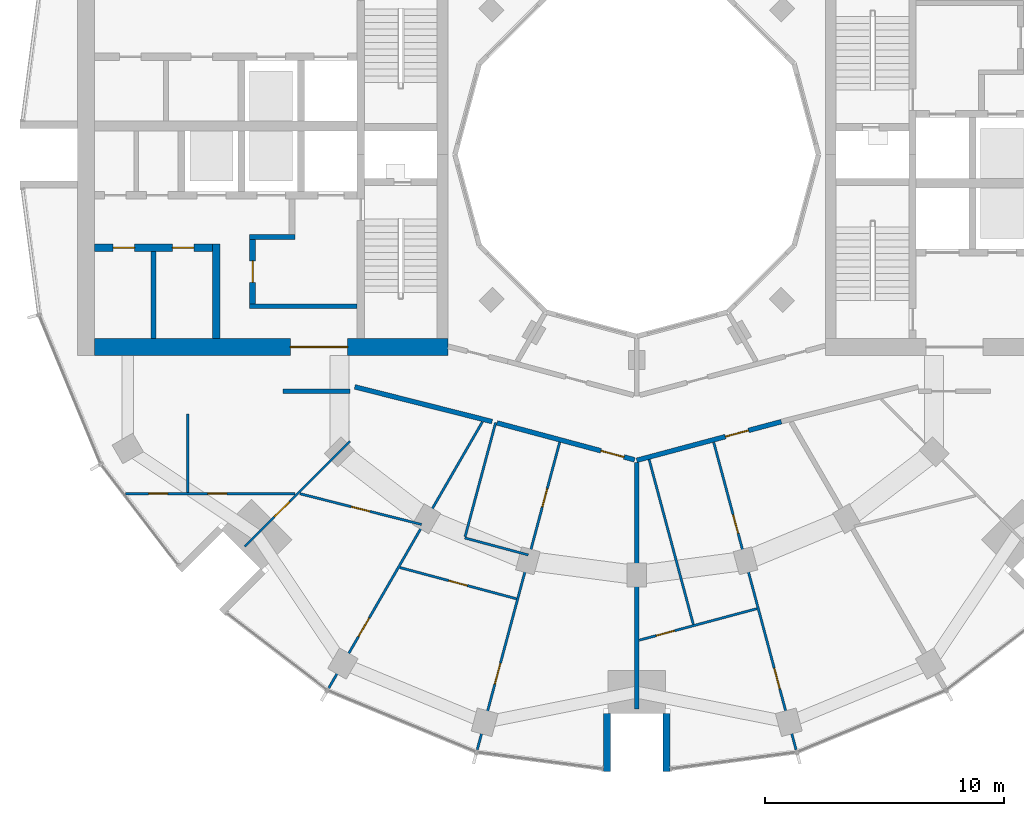
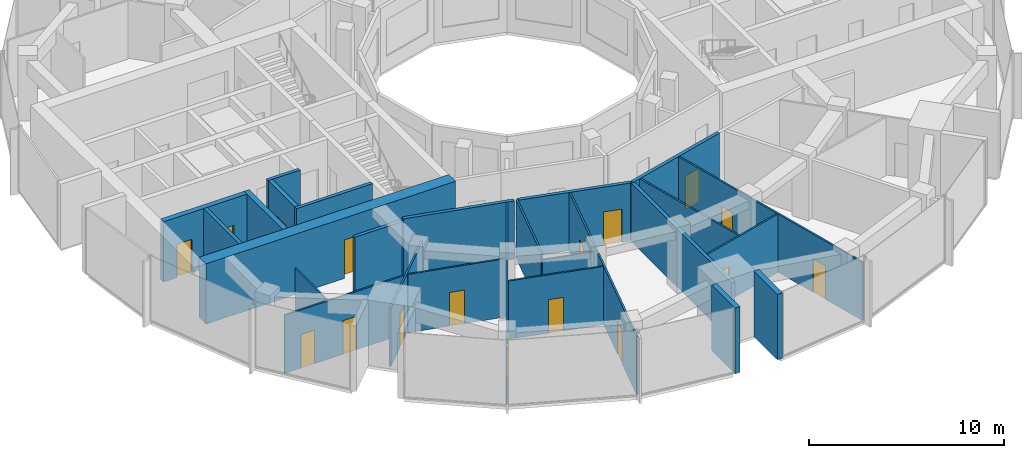
# One storey, part 8 of 15: 26 walls, 17 doors, 17 openings.
"""IFC4 building model written with IfcOpenShell, lengths in metres."""

from ifc_helpers import new_model, si_unit, direction, frame, frame_2d, origin, place, context, subcontext, project, spatial, rectangle, extrude, material, layer, layer_set, type_object, element, fill, save


model = new_model("IFC4")

# Units and contexts
model_context = context("Model", 3, precision=1e-05, world=origin(), true_north=direction((0.0, 1.0)))
body_context = subcontext(model_context, "Body", "Model", "MODEL_VIEW")
ifc_project = project(units=[si_unit("LENGTHUNIT", "METRE"), si_unit("AREAUNIT", "SQUARE_METRE"), si_unit("VOLUMEUNIT", "CUBIC_METRE"), si_unit("PLANEANGLEUNIT", "RADIAN"), si_unit("MASSUNIT", "GRAM", prefix="KILO")], contexts=[model_context])

# Site, building, storey
site_placement = place(None, origin())
site = spatial("IfcSite", under=ifc_project, at=site_placement, CompositionType="ELEMENT")
building_placement = place(site_placement, origin())
building = spatial("IfcBuilding", under=site, at=building_placement, Name="Torre Brocal", CompositionType="ELEMENT")
storey_placement = place(building_placement, frame((0.0, 0.0, 157.699951171875)))
storey = spatial("IfcBuildingStorey", under=building, at=storey_placement, Name="L36", CompositionType="ELEMENT", Elevation=157.699951171875)

# Walls
ifc_material_1 = material(Name="Masonry block", Category="masonry")
ifc_layer_1 = layer(ifc_material_1, 0.199951171875)
ifc_layer_set_1 = layer_set([ifc_layer_1], Name="Masonry block")
wall_type_1 = type_object("IfcWallType", Name="CORE PARTITION 200", PredefinedType="PARTITIONING", material=ifc_layer_set_1)
wall_1_placement = place(storey_placement, frame((59.77490234375, 70.949951171875, 0.0), z_axis=(0.0, 0.0, 1.0), x_axis=(0.0, -1.0, 0.0)))
element("IfcWall", 1, at=wall_1_placement, inside=storey, type_object=wall_type_1, Name="Wall CP200", PredefinedType="PARTITIONING", context=body_context, shape_type="SweptSolid", body=[
    extrude(rectangle(XDim=3.64990234375, YDim=0.199951171875, at=frame_2d((1.824951171875, 0.0))), origin(), (0.0, 0.0, 1.0), 3.780029296875),
])
ifc_material_2 = material(Name="Concrete C70", Category="concrete")
ifc_layer_2 = layer(ifc_material_2, 0.199951171875)
ifc_layer_set_2 = layer_set([ifc_layer_2], Name="Concrete C70")
wall_type_2 = type_object("IfcWallType", Name="CORE WALL 200 C70", PredefinedType="SHEAR", material=ifc_layer_set_2)
wall_2_placement = place(storey_placement, frame((68.300048828125, 68.64990234375, 0.0), z_axis=(0.0, 0.0, 1.0), x_axis=(-1.0, 0.0, 0.0)))
element("IfcWall", 2, at=wall_2_placement, inside=storey, type_object=wall_type_2, Name="Wall CW200-70", PredefinedType="SHEAR", context=body_context, shape_type="SweptSolid", body=[
    extrude(rectangle(XDim=4.5, YDim=0.199951171875, at=frame_2d((2.25, 0.0))), origin(), (0.0, 0.0, 1.0), 3.780029296875),
])
wall_3_placement = place(storey_placement, frame((65.699951171875, 71.550048828125, 0.0), z_axis=(0.0, 0.0, 1.0), x_axis=(-1.0, 0.0, 0.0)))
element("IfcWall", 3, at=wall_3_placement, inside=storey, type_object=wall_type_2, Name="Wall CW200-70", PredefinedType="SHEAR", context=body_context, shape_type="SweptSolid", body=[
    extrude(rectangle(XDim=1.89990234375, YDim=0.199951171875, at=frame_2d((0.949951171875, 0.0))), origin(), (0.0, 0.0, 1.0), 3.780029296875),
])

# Wall, opening, door
ifc_material_3 = material(Name="Concrete C70", Category="concrete")
ifc_layer_3 = layer(ifc_material_3, 0.25)
ifc_layer_set_3 = layer_set([ifc_layer_3], Name="Concrete C70")
wall_type_3 = type_object("IfcWallType", Name="CORE WALL 250 C70", PredefinedType="SHEAR", material=ifc_layer_set_3)
wall_4_placement = place(storey_placement, frame((63.925048828125, 71.449951171875, 0.0), z_axis=(0.0, 0.0, 1.0), x_axis=(0.0, -1.0, 0.0)))
wall_4 = element("IfcWall", 4, at=wall_4_placement, inside=storey, type_object=wall_type_3, Name="Wall CW250-70", PredefinedType="SHEAR", context=body_context, shape_type="SweptSolid", body=[
    extrude(rectangle(XDim=2.699951171875, YDim=0.25, at=frame_2d((1.35009765625, 0.0))), origin(), (0.0, 0.0, 1.0), 3.780029296875),
])
opening_1_placement = place(wall_4_placement, frame((0.89990234375, 0.0, 0.0)))
opening_1 = element("IfcOpeningElement", 5, at=opening_1_placement, cuts=wall_4, Name="Opening W-D08", PredefinedType="OPENING", context=body_context, shape_type="SweptSolid", body=[
    extrude(rectangle(XDim=0.89990234375, YDim=2.10009765625, at=frame_2d((0.449951171875, 1.050048828125))), frame((0.0, 0.135009765625, 0.0), z_axis=(0.0, -1.0, 0.0), x_axis=(1.0, 0.0, 0.0)), (0.0, 0.0, 1.0), 0.27001953125),
])
ifc_material_4 = material(Name="Steel A653", Category="steel")
door_type_1 = type_object("IfcDoorType", Name="LOBBY DOOR FD120 900X2100", OperationType="SINGLE_SWING_RIGHT", PredefinedType="DOOR", material=ifc_material_4)
door_1_placement = place(opening_1_placement, origin())
door_1 = element("IfcDoor", 6, at=door_1_placement, inside=storey, type_object=door_type_1, Name="Door W-D08", OperationType="SINGLE_SWING_LEFT", OverallHeight=2.10009765625, OverallWidth=0.89990234375, PredefinedType="DOOR", context=body_context, shape_type="SweptSolid", body=[
    extrude(rectangle(XDim=0.89990234375, YDim=2.10009765625, at=frame_2d((0.449951171875, 1.050048828125))), frame((0.0, 0.02490234375, 0.0), z_axis=(0.0, -1.0, 0.0), x_axis=(1.0, 0.0, 0.0)), (0.0, 0.0, 1.0), 0.050048828125),
])
fill(opening_1, door_1)

# Wall
ifc_material_5 = material(Name="Concrete C70", Category="concrete")
ifc_layer_4 = layer(ifc_material_5, 0.300048828125)
ifc_layer_set_4 = layer_set([ifc_layer_4], Name="Concrete C70")
wall_type_4 = type_object("IfcWallType", Name="CORE WALL 300 C70", PredefinedType="SHEAR", material=ifc_layer_set_4)
wall_5_placement = place(storey_placement, frame((62.39990234375, 71.25, 0.0), z_axis=(0.0, 0.0, 1.0), x_axis=(0.0, -1.0, 0.0)))
element("IfcWall", 7, at=wall_5_placement, inside=storey, type_object=wall_type_4, Name="Wall CW300-70", PredefinedType="SHEAR", context=body_context, shape_type="SweptSolid", body=[
    extrude(rectangle(XDim=3.949951171875, YDim=0.300048828125, at=frame_2d((1.97509765625, 0.0))), origin(), (0.0, 0.0, 1.0), 3.780029296875),
])

# Wall, openings, doors
wall_6_placement = place(storey_placement, frame((62.25, 71.10009765625, 0.0), z_axis=(0.0, 0.0, 1.0), x_axis=(-1.0, 0.0, 0.0)))
wall_6 = element("IfcWall", 8, at=wall_6_placement, inside=storey, type_object=wall_type_4, Name="Wall CW300-70", PredefinedType="SHEAR", context=body_context, shape_type="SweptSolid", body=[
    extrude(rectangle(XDim=4.949951171875, YDim=0.300048828125, at=frame_2d((2.47509765625, 0.0))), origin(), (0.0, 0.0, 1.0), 3.780029296875),
])
opening_2_placement = place(wall_6_placement, frame((0.78759765625, 0.0, 0.0)))
opening_2 = element("IfcOpeningElement", 9, at=opening_2_placement, cuts=wall_6, Name="Opening W-D09", PredefinedType="OPENING", context=body_context, shape_type="SweptSolid", body=[
    extrude(rectangle(XDim=0.89990234375, YDim=2.10009765625, at=frame_2d((0.449951171875, 1.050048828125))), frame((0.0, 0.159912109375, 0.0), z_axis=(0.0, -1.0, 0.0), x_axis=(1.0, 0.0, 0.0)), (0.0, 0.0, 1.0), 0.320068359375),
])
opening_3_placement = place(wall_6_placement, frame((3.262451171875, 0.0, 0.0)))
opening_3 = element("IfcOpeningElement", 10, at=opening_3_placement, cuts=wall_6, Name="Opening W-D10", PredefinedType="OPENING", context=body_context, shape_type="SweptSolid", body=[
    extrude(rectangle(XDim=0.89990234375, YDim=2.10009765625, at=frame_2d((0.449951171875, 1.050048828125))), frame((0.0, 0.159912109375, 0.0), z_axis=(0.0, -1.0, 0.0), x_axis=(1.0, 0.0, 0.0)), (0.0, 0.0, 1.0), 0.320068359375),
])
ifc_material_6 = material(Name="Steel A653", Category="steel")
door_type_2 = type_object("IfcDoorType", Name="ROOM DOOR FD30S 900X2100", OperationType="SINGLE_SWING_LEFT", PredefinedType="DOOR", material=ifc_material_6)
door_2_placement = place(opening_2_placement, origin())
door_2 = element("IfcDoor", 11, at=door_2_placement, inside=storey, type_object=door_type_2, Name="Door W-D09", OperationType="SINGLE_SWING_RIGHT", OverallHeight=2.10009765625, OverallWidth=0.89990234375, PredefinedType="DOOR", context=body_context, shape_type="SweptSolid", body=[
    extrude(rectangle(XDim=0.89990234375, YDim=2.10009765625, at=frame_2d((0.449951171875, 1.050048828125))), frame((0.0, 0.02490234375, 0.0), z_axis=(0.0, -1.0, 0.0), x_axis=(1.0, 0.0, 0.0)), (0.0, 0.0, 1.0), 0.050048828125),
])
fill(opening_2, door_2)
door_3_placement = place(opening_3_placement, origin())
door_3 = element("IfcDoor", 12, at=door_3_placement, inside=storey, type_object=door_type_2, Name="Door W-D10", OperationType="SINGLE_SWING_LEFT", OverallHeight=2.10009765625, OverallWidth=0.89990234375, PredefinedType="DOOR", context=body_context, shape_type="SweptSolid", body=[
    extrude(rectangle(XDim=0.89990234375, YDim=2.10009765625, at=frame_2d((0.449951171875, 1.050048828125))), frame((0.0, 0.02490234375, 0.0), z_axis=(0.0, -1.0, 0.0), x_axis=(1.0, 0.0, 0.0)), (0.0, 0.0, 1.0), 0.050048828125),
])
fill(opening_3, door_3)

# Wall, opening, door
ifc_material_7 = material(Name="Concrete C70", Category="concrete")
ifc_layer_5 = layer(ifc_material_7, 0.699951171875)
ifc_layer_set_5 = layer_set([ifc_layer_5], Name="Concrete C70")
wall_type_5 = type_object("IfcWallType", Name="CORE WALL 700 C70", PredefinedType="SHEAR", material=ifc_layer_set_5)
wall_7_placement = place(storey_placement, frame((72.10009765625, 66.949951171875, 0.0), z_axis=(0.0, 0.0, 1.0), x_axis=(-1.0, 0.0, 0.0)))
wall_7 = element("IfcWall", 13, at=wall_7_placement, inside=storey, type_object=wall_type_5, Name="Wall CW700-70", PredefinedType="SHEAR", context=body_context, shape_type="SweptSolid", body=[
    extrude(rectangle(XDim=14.800048828125, YDim=0.699951171875, at=frame_2d((7.39990234375, 0.0))), origin(), (0.0, 0.0, 1.0), 3.780029296875),
])
opening_4_placement = place(wall_7_placement, frame((4.199951171875, 0.0, 0.0)))
opening_4 = element("IfcOpeningElement", 14, at=opening_4_placement, cuts=wall_7, Name="Opening W-D34", PredefinedType="OPENING", context=body_context, shape_type="SweptSolid", body=[
    extrude(rectangle(XDim=2.39990234375, YDim=2.39990234375, at=frame_2d((1.199951171875, 1.199951171875))), frame((0.0, 0.35986328125, 0.0), z_axis=(0.0, -1.0, 0.0), x_axis=(1.0, 0.0, 0.0)), (0.0, 0.0, 1.0), 0.719970703125),
])
ifc_material_8 = material(Name="Steel A653", Category="steel")
door_type_3 = type_object("IfcDoorType", Name="DOUBLE FIRE DOOR FD90 2400X2400", OperationType="DOUBLE_DOOR_SINGLE_SWING", PredefinedType="DOOR", material=ifc_material_8)
door_4_placement = place(opening_4_placement, frame((2.39990234375, 0.0, 0.0), z_axis=(0.0, 0.0, 1.0), x_axis=(-1.0, 0.0, 0.0)))
door_4 = element("IfcDoor", 15, at=door_4_placement, inside=storey, type_object=door_type_3, Name="Door W-D34", OperationType="DOUBLE_DOOR_SINGLE_SWING", OverallHeight=2.39990234375, OverallWidth=2.39990234375, PredefinedType="DOOR", context=body_context, shape_type="SweptSolid", body=[
    extrude(rectangle(XDim=2.39990234375, YDim=2.39990234375, at=frame_2d((1.199951171875, 1.199951171875))), frame((0.0, 0.02490234375, 0.0), z_axis=(0.0, -1.0, 0.0), x_axis=(1.0, 0.0, 0.0)), (0.0, 0.0, 1.0), 0.050048828125),
])
fill(opening_4, door_4)

# Walls
ifc_material_9 = material(Name="Concrete C70", Category="concrete")
ifc_layer_6 = layer(ifc_material_9, 0.300048828125)
ifc_layer_set_6 = layer_set([ifc_layer_6], Name="Concrete C70")
wall_type_6 = type_object("IfcWallType", Name="NOTCH RETURN WALL 300 C70", PredefinedType="NOTDEFINED", material=ifc_layer_set_6)
for number, where, z_axis, x_axis, name in (
    (16, (78.75, 51.60009765625, 0.0), (0.0, 0.0, 1.0), (0.0, -1.0, 0.0), "NOTCH RETURN WALL"),
    (17, (81.25, 51.60009765625, 0.0), (0.0, 0.0, 1.0), (0.0, -1.0, 0.0), "NOTCH RETURN WALL"),
):
    element("IfcWall", number, at=place(storey_placement, frame(where, z_axis=z_axis, x_axis=x_axis)), inside=storey, type_object=wall_type_6, Name=name, PredefinedType="NOTDEFINED", context=body_context, shape_type="SweptSolid", body=[
        extrude(rectangle(XDim=2.415771484375, YDim=0.300048828125, at=frame_2d((1.2080078125, 0.0))), origin(), (0.0, 0.0, 1.0), 4.10009765625),
    ])

# Wall, openings, doors
ifc_material_10 = material(Name="Gypsum board", Category="Gypsum")
ifc_layer_7 = layer(ifc_material_10, 0.10009765625)
ifc_layer_set_7 = layer_set([ifc_layer_7], Name="Gypsum board")
wall_type_7 = type_object("IfcWallType", Name="PARTITION 100", PredefinedType="PARTITIONING", material=ifc_layer_set_7)
wall_8_placement = place(storey_placement, frame((58.60009765625, 60.81201171875, 0.0), z_axis=(0.0, 0.0, 1.0), x_axis=(1.0, 0.0, 0.0)))
wall_8 = element("IfcWall", 18, at=wall_8_placement, inside=storey, type_object=wall_type_7, Name="BATHROOM WALL", PredefinedType="PARTITIONING", context=body_context, shape_type="SweptSolid", body=[
    extrude(rectangle(XDim=7.091796875, YDim=0.10009765625, at=frame_2d((3.5458984375, 0.0))), origin(), (0.0, 0.0, 1.0), 3.650146484375),
])
opening_5_placement = place(wall_8_placement, frame((3.446044921875, 0.0, 0.0)))
opening_5 = element("IfcOpeningElement", 19, at=opening_5_placement, cuts=wall_8, Name="Opening R01-D33", PredefinedType="OPENING", context=body_context, shape_type="SweptSolid", body=[
    extrude(rectangle(XDim=0.800048828125, YDim=2.10009765625, at=frame_2d((0.39990234375, 1.050048828125))), frame((0.0, 0.06005859375, 0.0), z_axis=(0.0, -1.0, 0.0), x_axis=(1.0, 0.0, 0.0)), (0.0, 0.0, 1.0), 0.1201171875),
])
opening_6_placement = place(wall_8_placement, frame((0.965087890625, 0.0, 0.0)))
opening_6 = element("IfcOpeningElement", 20, at=opening_6_placement, cuts=wall_8, Name="Opening R01-D34", PredefinedType="OPENING", context=body_context, shape_type="SweptSolid", body=[
    extrude(rectangle(XDim=0.800048828125, YDim=2.10009765625, at=frame_2d((0.39990234375, 1.050048828125))), frame((0.0, 0.06005859375, 0.0), z_axis=(0.0, -1.0, 0.0), x_axis=(1.0, 0.0, 0.0)), (0.0, 0.0, 1.0), 0.1201171875),
])
ifc_material_11 = material(Name="Timber", Category="wood")
door_type_4 = type_object("IfcDoorType", Name="BATHROOM DOOR 800X2100", OperationType="SINGLE_SWING_LEFT", PredefinedType="DOOR", material=ifc_material_11)
door_5_placement = place(opening_5_placement, origin())
door_5 = element("IfcDoor", 21, at=door_5_placement, inside=storey, type_object=door_type_4, Name="R01-D33", OperationType="SINGLE_SWING_LEFT", OverallHeight=2.10009765625, OverallWidth=0.800048828125, PredefinedType="DOOR", context=body_context, shape_type="SweptSolid", body=[
    extrude(rectangle(XDim=0.800048828125, YDim=2.10009765625, at=frame_2d((0.39990234375, 1.050048828125))), frame((0.0, 0.02490234375, 0.0), z_axis=(0.0, -1.0, 0.0), x_axis=(1.0, 0.0, 0.0)), (0.0, 0.0, 1.0), 0.050048828125),
])
fill(opening_5, door_5)
door_6_placement = place(opening_6_placement, frame((0.800048828125, 0.0, 0.0), z_axis=(0.0, 0.0, 1.0), x_axis=(-1.0, 0.0, 0.0)))
door_6 = element("IfcDoor", 22, at=door_6_placement, inside=storey, type_object=door_type_4, Name="R01-D34", OperationType="SINGLE_SWING_RIGHT", OverallHeight=2.10009765625, OverallWidth=0.800048828125, PredefinedType="DOOR", context=body_context, shape_type="SweptSolid", body=[
    extrude(rectangle(XDim=0.800048828125, YDim=2.10009765625, at=frame_2d((0.39990234375, 1.050048828125))), frame((0.0, 0.02490234375, 0.0), z_axis=(0.0, -1.0, 0.0), x_axis=(1.0, 0.0, 0.0)), (0.0, 0.0, 1.0), 0.050048828125),
])
fill(opening_6, door_6)

# Wall
wall_9_placement = place(storey_placement, frame((61.199951171875, 60.862060546875, 0.0), z_axis=(0.0, 0.0, 1.0), x_axis=(0.0, 1.0, 0.0)))
element("IfcWall", 23, at=wall_9_placement, inside=storey, type_object=wall_type_7, Name="BATHROOM WALL", PredefinedType="PARTITIONING", context=body_context, shape_type="SweptSolid", body=[
    extrude(rectangle(XDim=3.282958984375, YDim=0.10009765625, at=frame_2d((1.6416015625, 0.0))), origin(), (0.0, 0.0, 1.0), 3.650146484375),
])

# Wall, opening, door
wall_10_placement = place(storey_placement, frame((63.593017578125, 58.59814453125, 0.0), z_axis=(0.0, 0.0, 1.0), x_axis=(0.707243952197, 0.706969583561, 0.0)))
wall_10 = element("IfcWall", 24, at=wall_10_placement, inside=storey, type_object=wall_type_7, Name="BATHROOM WALL", PredefinedType="PARTITIONING", context=body_context, shape_type="SweptSolid", body=[
    extrude(rectangle(XDim=6.228759765625, YDim=0.10009765625, at=frame_2d((3.1142578125, 0.0))), origin(), (0.0, 0.0, 1.0), 3.650146484375),
])
opening_7_placement = place(wall_10_placement, frame((1.752197265625, 0.0, 0.0)))
opening_7 = element("IfcOpeningElement", 25, at=opening_7_placement, cuts=wall_10, Name="Opening R01-D32", PredefinedType="OPENING", context=body_context, shape_type="SweptSolid", body=[
    extrude(rectangle(XDim=0.89990234375, YDim=2.10009765625, at=frame_2d((0.449951171875, 1.050048828125))), frame((0.0, 0.06005859375, 0.0), z_axis=(0.0, -1.0, 0.0), x_axis=(1.0, 0.0, 0.0)), (0.0, 0.0, 1.0), 0.1201171875),
])
ifc_material_12 = material(Name="Timber", Category="wood")
door_type_5 = type_object("IfcDoorType", Name="ROOM DOOR 900X2100", OperationType="SINGLE_SWING_LEFT", PredefinedType="DOOR", material=ifc_material_12)
door_7_placement = place(opening_7_placement, origin())
door_7 = element("IfcDoor", 26, at=door_7_placement, inside=storey, type_object=door_type_5, Name="R01-D32", OperationType="SINGLE_SWING_LEFT", OverallHeight=2.10009765625, OverallWidth=0.89990234375, PredefinedType="DOOR", context=body_context, shape_type="SweptSolid", body=[
    extrude(rectangle(XDim=0.89990234375, YDim=2.10009765625, at=frame_2d((0.449951171875, 1.050048828125))), frame((0.0, 0.02490234375, 0.0), z_axis=(0.0, -1.0, 0.0), x_axis=(1.0, 0.0, 0.0)), (0.0, 0.0, 1.0), 0.050048828125),
])
fill(opening_7, door_7)

wall_11_placement = place(storey_placement, frame((65.903564453125, 60.806396484375, 0.0), z_axis=(0.0, 0.0, 1.0), x_axis=(0.969477107154, -0.245181848237, 0.0)))
wall_11 = element("IfcWall", 27, at=wall_11_placement, inside=storey, type_object=wall_type_7, Name="BATHROOM WALL", PredefinedType="PARTITIONING", context=body_context, shape_type="SweptSolid", body=[
    extrude(rectangle(XDim=5.251708984375, YDim=0.10009765625, at=frame_2d((2.6259765625, 0.0))), origin(), (0.0, 0.0, 1.0), 3.650146484375),
])
opening_8_placement = place(wall_11_placement, frame((2.2158203125, 0.0, 0.0)))
opening_8 = element("IfcOpeningElement", 28, at=opening_8_placement, cuts=wall_11, Name="Opening R01-D31", PredefinedType="OPENING", context=body_context, shape_type="SweptSolid", body=[
    extrude(rectangle(XDim=0.800048828125, YDim=2.10009765625, at=frame_2d((0.39990234375, 1.050048828125))), frame((0.0, 0.06005859375, 0.0), z_axis=(0.0, -1.0, 0.0), x_axis=(1.0, 0.0, 0.0)), (0.0, 0.0, 1.0), 0.1201171875),
])
door_8_placement = place(opening_8_placement, origin())
door_8 = element("IfcDoor", 29, at=door_8_placement, inside=storey, type_object=door_type_4, Name="R01-D31", OperationType="SINGLE_SWING_LEFT", OverallHeight=2.10009765625, OverallWidth=0.800048828125, PredefinedType="DOOR", context=body_context, shape_type="SweptSolid", body=[
    extrude(rectangle(XDim=0.800048828125, YDim=2.10009765625, at=frame_2d((0.39990234375, 1.050048828125))), frame((0.0, 0.02490234375, 0.0), z_axis=(0.0, -1.0, 0.0), x_axis=(1.0, 0.0, 0.0)), (0.0, 0.0, 1.0), 0.050048828125),
])
fill(opening_8, door_8)

wall_12_placement = place(storey_placement, frame((67.10107421875, 52.65869140625, 0.0), z_axis=(0.0, 0.0, 1.0), x_axis=(0.499985055897, 0.866034031594, 0.0)))
wall_12 = element("IfcWall", 30, at=wall_12_placement, inside=storey, type_object=wall_type_7, Name="BATHROOM WALL", PredefinedType="PARTITIONING", context=body_context, shape_type="SweptSolid", body=[
    extrude(rectangle(XDim=12.87646484375, YDim=0.10009765625, at=frame_2d((6.438232421875, 0.0))), origin(), (0.0, 0.0, 1.0), 3.650146484375),
])
opening_9_placement = place(wall_12_placement, frame((2.504150390625, 0.0, 0.0)))
opening_9 = element("IfcOpeningElement", 31, at=opening_9_placement, cuts=wall_12, Name="Opening R01-D30", PredefinedType="OPENING", context=body_context, shape_type="SweptSolid", body=[
    extrude(rectangle(XDim=0.89990234375, YDim=2.10009765625, at=frame_2d((0.449951171875, 1.050048828125))), frame((0.0, 0.06005859375, 0.0), z_axis=(0.0, -1.0, 0.0), x_axis=(1.0, 0.0, 0.0)), (0.0, 0.0, 1.0), 0.1201171875),
])
door_9_placement = place(opening_9_placement, origin())
door_9 = element("IfcDoor", 32, at=door_9_placement, inside=storey, type_object=door_type_5, Name="R01-D30", OperationType="SINGLE_SWING_LEFT", OverallHeight=2.10009765625, OverallWidth=0.89990234375, PredefinedType="DOOR", context=body_context, shape_type="SweptSolid", body=[
    extrude(rectangle(XDim=0.89990234375, YDim=2.10009765625, at=frame_2d((0.449951171875, 1.050048828125))), frame((0.0, 0.02490234375, 0.0), z_axis=(0.0, -1.0, 0.0), x_axis=(1.0, 0.0, 0.0)), (0.0, 0.0, 1.0), 0.050048828125),
])
fill(opening_9, door_9)

wall_13_placement = place(storey_placement, frame((70.087890625, 57.716552734375, 0.0), z_axis=(0.0, 0.0, 1.0), x_axis=(0.965906836082, -0.258889907124, 0.0)))
wall_13 = element("IfcWall", 33, at=wall_13_placement, inside=storey, type_object=wall_type_7, Name="BATHROOM WALL", PredefinedType="PARTITIONING", context=body_context, shape_type="SweptSolid", body=[
    extrude(rectangle(XDim=5.05078125, YDim=0.10009765625, at=frame_2d((2.525390625, 0.0))), origin(), (0.0, 0.0, 1.0), 3.650146484375),
])
opening_10_placement = place(wall_13_placement, frame((2.12060546875, 0.0, 0.0)))
opening_10 = element("IfcOpeningElement", 34, at=opening_10_placement, cuts=wall_13, Name="Opening R01-D28", PredefinedType="OPENING", context=body_context, shape_type="SweptSolid", body=[
    extrude(rectangle(XDim=0.800048828125, YDim=2.10009765625, at=frame_2d((0.39990234375, 1.050048828125))), frame((0.0, 0.06005859375, 0.0), z_axis=(0.0, -1.0, 0.0), x_axis=(1.0, 0.0, 0.0)), (0.0, 0.0, 1.0), 0.1201171875),
])
door_10_placement = place(opening_10_placement, origin())
door_10 = element("IfcDoor", 35, at=door_10_placement, inside=storey, type_object=door_type_4, Name="R01-D28", OperationType="SINGLE_SWING_LEFT", OverallHeight=2.10009765625, OverallWidth=0.800048828125, PredefinedType="DOOR", context=body_context, shape_type="SweptSolid", body=[
    extrude(rectangle(XDim=0.800048828125, YDim=2.10009765625, at=frame_2d((0.39990234375, 1.050048828125))), frame((0.0, 0.02490234375, 0.0), z_axis=(0.0, -1.0, 0.0), x_axis=(1.0, 0.0, 0.0)), (0.0, 0.0, 1.0), 0.050048828125),
])
fill(opening_10, door_10)

# Wall
wall_14_placement = place(storey_placement, frame((72.81494140625, 59.00439453125, 0.0), z_axis=(0.0, 0.0, 1.0), x_axis=(0.25878292514, 0.96593550388, 0.0)))
element("IfcWall", 36, at=wall_14_placement, inside=storey, type_object=wall_type_7, Name="BATHROOM WALL", PredefinedType="PARTITIONING", context=body_context, shape_type="SweptSolid", body=[
    extrude(rectangle(XDim=4.9501953125, YDim=0.10009765625, at=frame_2d((2.47509765625, 0.0))), origin(), (0.0, 0.0, 1.0), 3.650146484375),
])

# Wall, openings, doors
wall_15_placement = place(storey_placement, frame((73.322021484375, 50.0810546875, 0.0), z_axis=(0.0, 0.0, 1.0), x_axis=(0.258982801816, 0.965881932931, 0.0)))
wall_15 = element("IfcWall", 37, at=wall_15_placement, inside=storey, type_object=wall_type_7, Name="BATHROOM WALL", PredefinedType="PARTITIONING", context=body_context, shape_type="SweptSolid", body=[
    extrude(rectangle(XDim=13.338134765625, YDim=0.10009765625, at=frame_2d((6.6689453125, 0.0))), origin(), (0.0, 0.0, 1.0), 3.650146484375),
])
opening_11_placement = place(wall_15_placement, frame((2.853759765625, 0.0, 0.0)))
opening_11 = element("IfcOpeningElement", 38, at=opening_11_placement, cuts=wall_15, Name="Opening R01-D27", PredefinedType="OPENING", context=body_context, shape_type="SweptSolid", body=[
    extrude(rectangle(XDim=0.89990234375, YDim=2.10009765625, at=frame_2d((0.449951171875, 1.050048828125))), frame((0.0, 0.06005859375, 0.0), z_axis=(0.0, -1.0, 0.0), x_axis=(1.0, 0.0, 0.0)), (0.0, 0.0, 1.0), 0.1201171875),
])
opening_12_placement = place(wall_15_placement, frame((10.5283203125, 0.0, 0.0)))
opening_12 = element("IfcOpeningElement", 39, at=opening_12_placement, cuts=wall_15, Name="Opening R01-D29", PredefinedType="OPENING", context=body_context, shape_type="SweptSolid", body=[
    extrude(rectangle(XDim=0.800048828125, YDim=2.10009765625, at=frame_2d((0.39990234375, 1.050048828125))), frame((0.0, 0.06005859375, 0.0), z_axis=(0.0, -1.0, 0.0), x_axis=(1.0, 0.0, 0.0)), (0.0, 0.0, 1.0), 0.1201171875),
])
door_11_placement = place(opening_12_placement, origin())
door_11 = element("IfcDoor", 40, at=door_11_placement, inside=storey, type_object=door_type_4, Name="R01-D29", OperationType="SINGLE_SWING_LEFT", OverallHeight=2.10009765625, OverallWidth=0.800048828125, PredefinedType="DOOR", context=body_context, shape_type="SweptSolid", body=[
    extrude(rectangle(XDim=0.800048828125, YDim=2.10009765625, at=frame_2d((0.39990234375, 1.050048828125))), frame((0.0, 0.02490234375, 0.0), z_axis=(0.0, -1.0, 0.0), x_axis=(1.0, 0.0, 0.0)), (0.0, 0.0, 1.0), 0.050048828125),
])
fill(opening_12, door_11)
door_12_placement = place(opening_11_placement, origin())
door_12 = element("IfcDoor", 41, at=door_12_placement, inside=storey, type_object=door_type_5, Name="R01-D27", OperationType="SINGLE_SWING_LEFT", OverallHeight=2.10009765625, OverallWidth=0.89990234375, PredefinedType="DOOR", context=body_context, shape_type="SweptSolid", body=[
    extrude(rectangle(XDim=0.89990234375, YDim=2.10009765625, at=frame_2d((0.449951171875, 1.050048828125))), frame((0.0, 0.02490234375, 0.0), z_axis=(0.0, -1.0, 0.0), x_axis=(1.0, 0.0, 0.0)), (0.0, 0.0, 1.0), 0.050048828125),
])
fill(opening_11, door_12)

# Wall, opening, door
wall_16_placement = place(storey_placement, frame((80.106201171875, 54.675537109375, 0.0), z_axis=(0.0, 0.0, 1.0), x_axis=(0.965976901679, 0.258628353863, 0.0)))
wall_16 = element("IfcWall", 42, at=wall_16_placement, inside=storey, type_object=wall_type_7, Name="BATHROOM WALL", PredefinedType="PARTITIONING", context=body_context, shape_type="SweptSolid", body=[
    extrude(rectangle(XDim=5.097412109375, YDim=0.10009765625, at=frame_2d((2.548828125, 0.0))), origin(), (0.0, 0.0, 1.0), 3.650146484375),
])
opening_13_placement = place(wall_16_placement, frame((0.7333984375, 0.0, 0.0)))
opening_13 = element("IfcOpeningElement", 43, at=opening_13_placement, cuts=wall_16, Name="Opening R01-D24", PredefinedType="OPENING", context=body_context, shape_type="SweptSolid", body=[
    extrude(rectangle(XDim=0.800048828125, YDim=2.10009765625, at=frame_2d((0.39990234375, 1.050048828125))), frame((0.0, 0.06005859375, 0.0), z_axis=(0.0, -1.0, 0.0), x_axis=(1.0, 0.0, 0.0)), (0.0, 0.0, 1.0), 0.1201171875),
])
door_13_placement = place(opening_13_placement, origin())
door_13 = element("IfcDoor", 44, at=door_13_placement, inside=storey, type_object=door_type_4, Name="R01-D24", OperationType="SINGLE_SWING_LEFT", OverallHeight=2.10009765625, OverallWidth=0.800048828125, PredefinedType="DOOR", context=body_context, shape_type="SweptSolid", body=[
    extrude(rectangle(XDim=0.800048828125, YDim=2.10009765625, at=frame_2d((0.39990234375, 1.050048828125))), frame((0.0, 0.02490234375, 0.0), z_axis=(0.0, -1.0, 0.0), x_axis=(1.0, 0.0, 0.0)), (0.0, 0.0, 1.0), 0.050048828125),
])
fill(opening_13, door_13)

# Wall
wall_17_placement = place(storey_placement, frame((80.519287109375, 62.2392578125, 0.0), z_axis=(0.0, 0.0, 1.0), x_axis=(0.25878046533, -0.965936162882, 0.0)))
element("IfcWall", 45, at=wall_17_placement, inside=storey, type_object=wall_type_7, Name="BATHROOM WALL", PredefinedType="PARTITIONING", context=body_context, shape_type="SweptSolid", body=[
    extrude(rectangle(XDim=7.1494140625, YDim=0.10009765625, at=frame_2d((3.57470703125, 0.0))), origin(), (0.0, 0.0, 1.0), 3.650146484375),
])

# Wall, openings, doors
wall_18_placement = place(storey_placement, frame((83.22509765625, 62.9541015625, 0.0), z_axis=(0.0, 0.0, 1.0), x_axis=(0.258715941946, -0.965953446799, 0.0)))
wall_18 = element("IfcWall", 46, at=wall_18_placement, inside=storey, type_object=wall_type_7, Name="BATHROOM WALL", PredefinedType="PARTITIONING", context=body_context, shape_type="SweptSolid", body=[
    extrude(rectangle(XDim=13.328369140625, YDim=0.10009765625, at=frame_2d((6.6640625, 0.0))), origin(), (0.0, 0.0, 1.0), 3.650146484375),
])
opening_14_placement = place(wall_18_placement, frame((9.783935546875, 0.0, 0.0)))
opening_14 = element("IfcOpeningElement", 47, at=opening_14_placement, cuts=wall_18, Name="Opening R01-D23", PredefinedType="OPENING", context=body_context, shape_type="SweptSolid", body=[
    extrude(rectangle(XDim=0.89990234375, YDim=2.10009765625, at=frame_2d((0.449951171875, 1.050048828125))), frame((0.0, 0.06005859375, 0.0), z_axis=(0.0, -1.0, 0.0), x_axis=(1.0, 0.0, 0.0)), (0.0, 0.0, 1.0), 0.1201171875),
])
opening_15_placement = place(wall_18_placement, frame((3.139892578125, 0.0, 0.0)))
opening_15 = element("IfcOpeningElement", 48, at=opening_15_placement, cuts=wall_18, Name="Opening R01-D25", PredefinedType="OPENING", context=body_context, shape_type="SweptSolid", body=[
    extrude(rectangle(XDim=0.800048828125, YDim=2.10009765625, at=frame_2d((0.39990234375, 1.050048828125))), frame((0.0, 0.06005859375, 0.0), z_axis=(0.0, -1.0, 0.0), x_axis=(1.0, 0.0, 0.0)), (0.0, 0.0, 1.0), 0.1201171875),
])
door_14_placement = place(opening_15_placement, frame((0.800048828125, 0.0, 0.0), z_axis=(0.0, 0.0, 1.0), x_axis=(-1.0, 0.0, 0.0)))
door_14 = element("IfcDoor", 49, at=door_14_placement, inside=storey, type_object=door_type_4, Name="R01-D25", OperationType="SINGLE_SWING_RIGHT", OverallHeight=2.10009765625, OverallWidth=0.800048828125, PredefinedType="DOOR", context=body_context, shape_type="SweptSolid", body=[
    extrude(rectangle(XDim=0.800048828125, YDim=2.10009765625, at=frame_2d((0.39990234375, 1.050048828125))), frame((0.0, 0.02490234375, 0.0), z_axis=(0.0, -1.0, 0.0), x_axis=(1.0, 0.0, 0.0)), (0.0, 0.0, 1.0), 0.050048828125),
])
fill(opening_15, door_14)
door_15_placement = place(opening_14_placement, frame((0.89990234375, 0.0, 0.0), z_axis=(0.0, 0.0, 1.0), x_axis=(-1.0, 0.0, 0.0)))
door_15 = element("IfcDoor", 50, at=door_15_placement, inside=storey, type_object=door_type_5, Name="R01-D23", OperationType="SINGLE_SWING_LEFT", OverallHeight=2.10009765625, OverallWidth=0.89990234375, PredefinedType="DOOR", context=body_context, shape_type="SweptSolid", body=[
    extrude(rectangle(XDim=0.89990234375, YDim=2.10009765625, at=frame_2d((0.449951171875, 1.050048828125))), frame((0.0, 0.02490234375, 0.0), z_axis=(0.0, -1.0, 0.0), x_axis=(1.0, 0.0, 0.0)), (0.0, 0.0, 1.0), 0.050048828125),
])
fill(opening_14, door_15)

# Walls
ifc_material_13 = material(Name="Gypsum board", Category="Gypsum")
ifc_layer_8 = layer(ifc_material_13, 0.10009765625)
ifc_layer_set_8 = layer_set([ifc_layer_8], Name="Gypsum board")
wall_type_8 = type_object("IfcWallType", Name="PARTITION 100 UNDER BEAM 820", PredefinedType="PARTITIONING", material=ifc_layer_set_8)
wall_19_placement = place(storey_placement, frame((72.802001953125, 58.9560546875, 0.0), z_axis=(0.0, 0.0, 1.0), x_axis=(0.965887802097, -0.258960911647, 0.0)))
element("IfcWall", 51, at=wall_19_placement, inside=storey, type_object=wall_type_8, Name="BATHROOM WALL", PredefinedType="PARTITIONING", context=body_context, shape_type="SweptSolid", body=[
    extrude(rectangle(XDim=2.75, YDim=0.10009765625, at=frame_2d((1.375, 0.0))), origin(), (0.0, 0.0, 1.0), 3.280029296875),
])
ifc_material_14 = material(Name="Gypsum board", Category="Gypsum")
ifc_layer_9 = layer(ifc_material_14, 0.199951171875)
ifc_layer_set_9 = layer_set([ifc_layer_9], Name="Gypsum board")
wall_type_9 = type_object("IfcWallType", Name="PARTITION 200 EI60", PredefinedType="PARTITIONING", material=ifc_layer_set_9)
wall_20_placement = place(storey_placement, frame((65.199951171875, 65.10009765625, 0.0), z_axis=(0.0, 0.0, 1.0), x_axis=(1.0, 0.0, 0.0)))
element("IfcWall", 52, at=wall_20_placement, inside=storey, type_object=wall_type_9, Name="GUESTROOM CORRIDOR WALL", PredefinedType="PARTITIONING", context=body_context, shape_type="SweptSolid", body=[
    extrude(rectangle(XDim=2.800048828125, YDim=0.199951171875, at=frame_2d((1.39990234375, 0.0))), origin(), (0.0, 0.0, 1.0), 3.650146484375),
])
wall_21_placement = place(storey_placement, frame((68.199951171875, 65.280029296875, 0.0), z_axis=(0.0, 0.0, 1.0), x_axis=(0.969450596516, -0.245286650503, 0.0)))
element("IfcWall", 53, at=wall_21_placement, inside=storey, type_object=wall_type_9, Name="CORRIDOR WALL", PredefinedType="PARTITIONING", context=body_context, shape_type="SweptSolid", body=[
    extrude(rectangle(XDim=5.92822265625, YDim=0.199951171875, at=frame_2d((2.964111328125, 0.0))), origin(), (0.0, 0.0, 1.0), 3.650146484375),
])

# Wall, opening, door
wall_22_placement = place(storey_placement, frame((74.14990234375, 63.771728515625, 0.0), z_axis=(0.0, 0.0, 1.0), x_axis=(0.965807109237, -0.259261697417, 0.0)))
wall_22 = element("IfcWall", 54, at=wall_22_placement, inside=storey, type_object=wall_type_9, Name="FLAT ENTRANCE WALL", PredefinedType="PARTITIONING", context=body_context, shape_type="SweptSolid", body=[
    extrude(rectangle(XDim=5.966552734375, YDim=0.199951171875, at=frame_2d((2.9833984375, 0.0))), origin(), (0.0, 0.0, 1.0), 3.650146484375),
])
opening_16_placement = place(wall_22_placement, frame((4.506591796875, 0.0, 0.0)))
opening_16 = element("IfcOpeningElement", 55, at=opening_16_placement, cuts=wall_22, Name="Opening R01-D26", PredefinedType="OPENING", context=body_context, shape_type="SweptSolid", body=[
    extrude(rectangle(XDim=1.0, YDim=2.10009765625, at=frame_2d((0.5, 1.050048828125))), frame((0.0, 0.10986328125, 0.0), z_axis=(0.0, -1.0, 0.0), x_axis=(1.0, 0.0, 0.0)), (0.0, 0.0, 1.0), 0.219970703125),
])
ifc_material_15 = material(Name="Timber", Category="wood")
door_type_6 = type_object("IfcDoorType", Name="FLAT ENTRY DOOR FD30S 1000X2100", OperationType="SINGLE_SWING_RIGHT", PredefinedType="DOOR", material=ifc_material_15)
door_16_placement = place(opening_16_placement, frame((1.0, 0.0, 0.0), z_axis=(0.0, 0.0, 1.0), x_axis=(-1.0, 0.0, 0.0)))
door_16 = element("IfcDoor", 56, at=door_16_placement, inside=storey, type_object=door_type_6, Name="R01-D26", OperationType="SINGLE_SWING_LEFT", OverallHeight=2.10009765625, OverallWidth=1.0, PredefinedType="DOOR", context=body_context, shape_type="SweptSolid", body=[
    extrude(rectangle(XDim=1.0, YDim=2.10009765625, at=frame_2d((0.5, 1.050048828125))), frame((0.0, 0.02490234375, 0.0), z_axis=(0.0, -1.0, 0.0), x_axis=(1.0, 0.0, 0.0)), (0.0, 0.0, 1.0), 0.050048828125),
])
fill(opening_16, door_16)

# Wall
wall_23_placement = place(storey_placement, frame((80.0, 51.800048828125, 0.0), z_axis=(0.0, 0.0, 1.0), x_axis=(0.0, 1.0, 0.0)))
element("IfcWall", 57, at=wall_23_placement, inside=storey, type_object=wall_type_9, Name="BATHROOM WALL", PredefinedType="PARTITIONING", context=body_context, shape_type="SweptSolid", body=[
    extrude(rectangle(XDim=10.31396484375, YDim=0.199951171875, at=frame_2d((5.156982421875, 0.0))), origin(), (0.0, 0.0, 1.0), 3.650146484375),
])

# Wall, opening, door
wall_24_placement = place(storey_placement, frame((80.0, 62.20458984375, 0.0), z_axis=(0.0, 0.0, 1.0), x_axis=(0.966104192593, 0.258152453124, 0.0)))
wall_24 = element("IfcWall", 58, at=wall_24_placement, inside=storey, type_object=wall_type_9, Name="FLAT ENTRANCE WALL", PredefinedType="PARTITIONING", context=body_context, shape_type="SweptSolid", body=[
    extrude(rectangle(XDim=6.266357421875, YDim=0.199951171875, at=frame_2d((3.13330078125, 0.0))), origin(), (0.0, 0.0, 1.0), 3.650146484375),
])
opening_17_placement = place(wall_24_placement, frame((3.84228515625, 0.0, 0.0)))
opening_17 = element("IfcOpeningElement", 59, at=opening_17_placement, cuts=wall_24, Name="Opening R01-D22", PredefinedType="OPENING", context=body_context, shape_type="SweptSolid", body=[
    extrude(rectangle(XDim=1.0, YDim=2.10009765625, at=frame_2d((0.5, 1.050048828125))), frame((0.0, 0.10986328125, 0.0), z_axis=(0.0, -1.0, 0.0), x_axis=(1.0, 0.0, 0.0)), (0.0, 0.0, 1.0), 0.219970703125),
])
door_17_placement = place(opening_17_placement, frame((1.0, 0.0, 0.0), z_axis=(0.0, 0.0, 1.0), x_axis=(-1.0, 0.0, 0.0)))
door_17 = element("IfcDoor", 60, at=door_17_placement, inside=storey, type_object=door_type_6, Name="R01-D22", OperationType="SINGLE_SWING_RIGHT", OverallHeight=2.10009765625, OverallWidth=1.0, PredefinedType="DOOR", context=body_context, shape_type="SweptSolid", body=[
    extrude(rectangle(XDim=1.0, YDim=2.10009765625, at=frame_2d((0.5, 1.050048828125))), frame((0.0, 0.02490234375, 0.0), z_axis=(0.0, -1.0, 0.0), x_axis=(1.0, 0.0, 0.0)), (0.0, 0.0, 1.0), 0.050048828125),
])
fill(opening_17, door_17)

save(model, "model.ifc")
